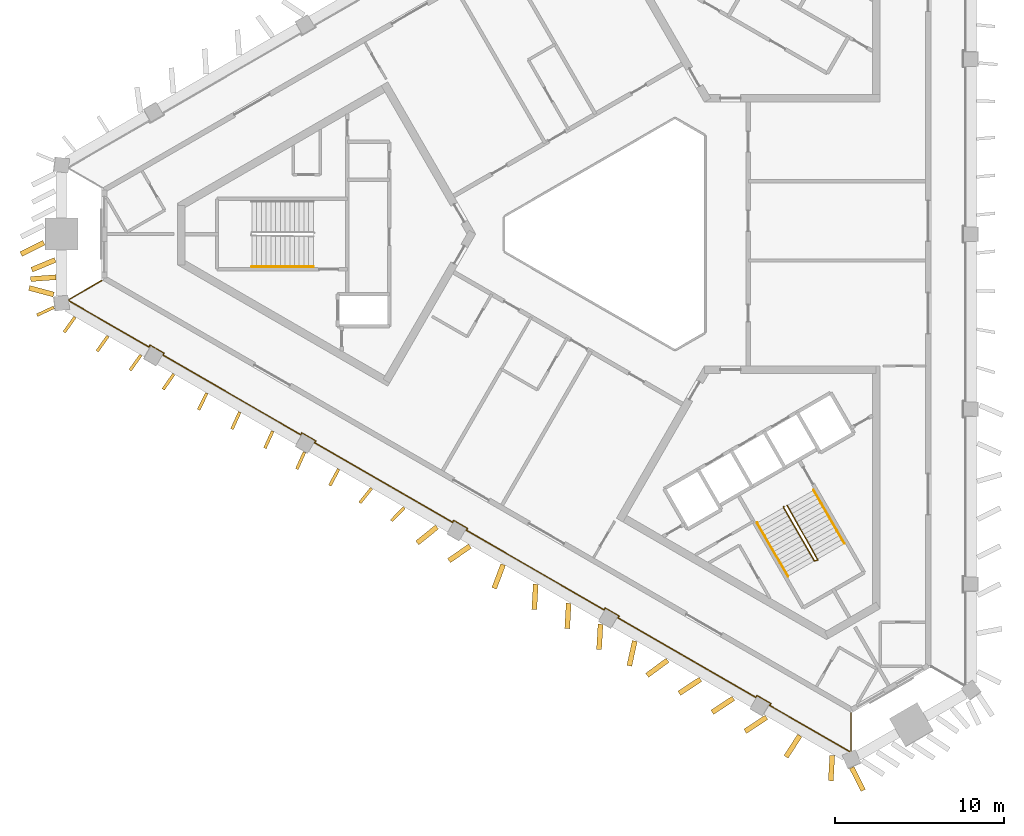
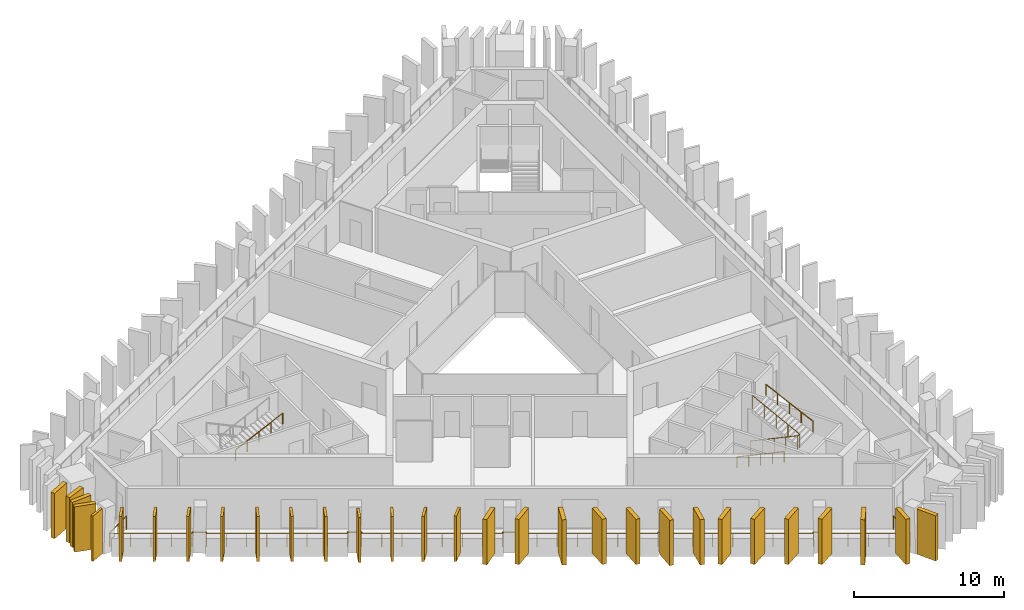
# One storey, part 7 of 10: 30 shading devices, 5 railings.
"""IFC4 building model written with IfcOpenShell, lengths in metres."""

from ifc_helpers import new_model, si_unit, direction, frame, frame_2d, origin, origin_2d, place, context, subcontext, project, spatial, rectangle, circle, extrude, material, layer, layer_set, type_object, element, save


model = new_model("IFC4")

# Units and contexts
model_context = context("Model", 3, precision=1e-05, world=origin(), true_north=direction((0.0, 1.0)))
body_context = subcontext(model_context, "Body", "Model", "MODEL_VIEW")
ifc_project = project(units=[si_unit("LENGTHUNIT", "METRE"), si_unit("AREAUNIT", "SQUARE_METRE"), si_unit("VOLUMEUNIT", "CUBIC_METRE"), si_unit("PLANEANGLEUNIT", "RADIAN"), si_unit("MASSUNIT", "GRAM", prefix="KILO")], contexts=[model_context])

# Site, building, storey
site_placement = place(None, origin())
site = spatial("IfcSite", under=ifc_project, at=site_placement, CompositionType="ELEMENT")
building_placement = place(site_placement, origin())
building = spatial("IfcBuilding", under=site, at=building_placement, Name="Jabali Bay Hotel Tower and Convention Centre", CompositionType="ELEMENT")
storey_placement = place(building_placement, frame((0.0, 0.0, 216.89990234375)))
storey = spatial("IfcBuildingStorey", under=building, at=storey_placement, Name="L53", CompositionType="ELEMENT", Elevation=216.89990234375)

# Railing
ifc_material_1 = material(Name="Glass", Category="glass")
railing_type_1 = type_object("IfcRailingType", Name="Loggia glass guard 1100", PredefinedType="BALUSTRADE", material=ifc_material_1)
railing_1_placement = place(storey_placement, frame((88.160400390625, 51.701904296875, 0.0)))
element("IfcRailing", 1, at=railing_1_placement, inside=storey, type_object=railing_type_1, Name="Loggia glass guard L53", PredefinedType="BALUSTRADE", context=body_context, shape_type="SweptSolid", body=[
    extrude(circle(Radius=0.02490234375, at=origin_2d()), frame((0.0, 0.0, 1.0751953125), z_axis=(0.0, -1.0, 0.0), x_axis=(0.991444861374, 0.0, 0.13052619222)), (0.0, 0.0, 1.0), 2.247314453125),
    extrude(circle(Radius=0.02490234375, at=origin_2d()), frame((0.0, -2.247314453125, 1.0751953125), z_axis=(-0.91970817197, -0.392602697916, 0.0), x_axis=(0.38924392741, -0.911839941063, 0.13052619222)), (0.0, 0.0, 1.0), 0.067138671875),
    extrude(circle(Radius=0.02490234375, at=origin_2d()), frame((-0.061767578125, -2.273681640625, 1.0751953125), z_axis=(-0.866033716285, 0.499985602051, 0.0), x_axis=(-0.495708155914, -0.858624677787, 0.13052619222)), (0.0, 0.0, 1.0), 5.461181640625),
    extrude(circle(Radius=0.02490234375, at=origin_2d()), frame((-4.791259765625, 0.456787109375, 1.0751953125), z_axis=(0.500342721131, 0.865827443207, 0.0), x_axis=(-0.858420169404, 0.496062219791, 0.13052619222)), (0.0, 0.0, 1.0), 0.125),
    extrude(circle(Radius=0.02490234375, at=origin_2d()), frame((-4.728759765625, 0.56494140625, 1.0751953125), z_axis=(-0.865924446982, 0.500174821557, 0.0), x_axis=(-0.495895756621, -0.858516343298, 0.13052619222)), (0.0, 0.0, 1.0), 0.949951171875),
    extrude(circle(Radius=0.02490234375, at=origin_2d()), frame((-5.55126953125, 1.0400390625, 1.0751953125), z_axis=(-0.499497219344, -0.8663154898, 0.0), x_axis=(0.858904040691, -0.495223951389, 0.13052619222)), (0.0, 0.0, 1.0), 0.125244140625),
    extrude(circle(Radius=0.02490234375, at=origin_2d()), frame((-5.61376953125, 0.931640625, 1.0751953125), z_axis=(-0.866023339644, 0.500003575179, 0.0), x_axis=(-0.49572597528, -0.85861438992, 0.13052619222)), (0.0, 0.0, 1.0), 9.39697265625),
    extrude(circle(Radius=0.02490234375, at=origin_2d()), frame((-13.751708984375, 5.630126953125, 1.0751953125), z_axis=(0.499497219344, 0.8663154898, 0.0), x_axis=(-0.858904040691, 0.495223951389, 0.13052619222)), (0.0, 0.0, 1.0), 0.125244140625),
    extrude(circle(Radius=0.02490234375, at=origin_2d()), frame((-13.689208984375, 5.738525390625, 1.0751953125), z_axis=(-0.866100000774, 0.49987077196, 0.0), x_axis=(-0.495594308211, -0.858690395203, 0.13052619222)), (0.0, 0.0, 1.0), 0.949951171875),
    extrude(circle(Radius=0.02490234375, at=origin_2d()), frame((-14.511962890625, 6.21337890625, 1.0751953125), z_axis=(-0.500342721131, -0.865827443207, 0.0), x_axis=(0.858420169404, -0.496062219791, 0.13052619222)), (0.0, 0.0, 1.0), 0.125),
    extrude(circle(Radius=0.02490234375, at=origin_2d()), frame((-14.574462890625, 6.105224609375, 1.0751953125), z_axis=(-0.86603458971, 0.499984089172, 0.0), x_axis=(-0.495706655979, -0.85862554374, 0.13052619222)), (0.0, 0.0, 1.0), 9.396728515625),
    extrude(circle(Radius=0.02490234375, at=origin_2d()), frame((-22.71240234375, 10.803466796875, 1.0751953125), z_axis=(0.499497219344, 0.8663154898, 0.0), x_axis=(-0.858904040691, 0.495223951389, 0.13052619222)), (0.0, 0.0, 1.0), 0.125244140625),
    extrude(circle(Radius=0.02490234375, at=origin_2d()), frame((-22.64990234375, 10.911865234375, 1.0751953125), z_axis=(-0.866100000774, 0.49987077196, 0.0), x_axis=(-0.495594308211, -0.858690395203, 0.13052619222)), (0.0, 0.0, 1.0), 0.949951171875),
    extrude(circle(Radius=0.02490234375, at=origin_2d()), frame((-23.47265625, 11.38671875, 1.0751953125), z_axis=(-0.500342721131, -0.865827443207, 0.0), x_axis=(0.858420169404, -0.496062219791, 0.13052619222)), (0.0, 0.0, 1.0), 0.125),
    extrude(circle(Radius=0.02490234375, at=origin_2d()), frame((-23.53515625, 11.278564453125, 1.0751953125), z_axis=(-0.866023339644, 0.500003575179, 0.0), x_axis=(-0.49572597528, -0.85861438992, 0.13052619222)), (0.0, 0.0, 1.0), 9.39697265625),
    extrude(circle(Radius=0.02490234375, at=origin_2d()), frame((-31.673095703125, 15.97705078125, 1.0751953125), z_axis=(0.500342721131, 0.865827443207, 0.0), x_axis=(-0.858420169404, 0.496062219791, 0.13052619222)), (0.0, 0.0, 1.0), 0.125),
    extrude(circle(Radius=0.02490234375, at=origin_2d()), frame((-31.610595703125, 16.085205078125, 1.0751953125), z_axis=(-0.865924446982, 0.500174821557, 0.0), x_axis=(-0.495895756621, -0.858516343298, 0.13052619222)), (0.0, 0.0, 1.0), 0.949951171875),
    extrude(circle(Radius=0.02490234375, at=origin_2d()), frame((-32.43310546875, 16.560302734375, 1.0751953125), z_axis=(-0.499497219344, -0.8663154898, 0.0), x_axis=(0.858904040691, -0.495223951389, 0.13052619222)), (0.0, 0.0, 1.0), 0.125244140625),
    extrude(circle(Radius=0.02490234375, at=origin_2d()), frame((-32.49560546875, 16.451904296875, 1.0751953125), z_axis=(-0.866023339644, 0.500003575179, 0.0), x_axis=(-0.49572597528, -0.85861438992, 0.13052619222)), (0.0, 0.0, 1.0), 9.39697265625),
    extrude(circle(Radius=0.02490234375, at=origin_2d()), frame((-40.633544921875, 21.150390625, 1.0751953125), z_axis=(0.500342721131, 0.865827443207, 0.0), x_axis=(-0.858420169404, 0.496062219791, 0.13052619222)), (0.0, 0.0, 1.0), 0.125),
    extrude(circle(Radius=0.02490234375, at=origin_2d()), frame((-40.571044921875, 21.258544921875, 1.0751953125), z_axis=(-0.865988727248, 0.500063520245, 0.0), x_axis=(-0.495785407507, -0.858580073638, 0.13052619222)), (0.0, 0.0, 1.0), 0.9501953125),
    extrude(circle(Radius=0.02490234375, at=origin_2d()), frame((-41.393798828125, 21.733642578125, 1.0751953125), z_axis=(-0.500342721131, -0.865827443207, 0.0), x_axis=(0.858420169404, -0.496062219791, 0.13052619222)), (0.0, 0.0, 1.0), 0.125),
    extrude(circle(Radius=0.02490234375, at=origin_2d()), frame((-41.456298828125, 21.62548828125, 1.0751953125), z_axis=(-0.86602253992, 0.500004960326, 0.0), x_axis=(-0.495727348576, -0.858613597038, 0.13052619222)), (0.0, 0.0, 1.0), 5.4609375),
    extrude(circle(Radius=0.02490234375, at=origin_2d()), frame((-46.185546875, 24.35595703125, 1.0751953125), z_axis=(-0.123587346971, 0.992333697739, 0.0), x_axis=(-0.983844145392, -0.122530040085, 0.13052619222)), (0.0, 0.0, 1.0), 0.067138671875),
    extrude(circle(Radius=0.02490234375, at=origin_2d()), frame((-46.19384765625, 24.422607421875, 1.0751953125), z_axis=(0.866082486575, 0.499901116671, 0.0), x_axis=(-0.495624393318, 0.85867303084, 0.13052619222)), (0.0, 0.0, 1.0), 2.24755859375),
    extrude(circle(Radius=0.02001953125, at=origin_2d()), origin(), (0.0, 0.0, 1.0), 1.050048828125),
    extrude(circle(Radius=0.02001953125, at=origin_2d()), frame((0.0, -1.12353515625, 0.0)), (0.0, 0.0, 1.0), 1.050048828125),
    extrude(circle(Radius=0.02001953125, at=origin_2d()), frame((0.0, -2.247314453125, 0.0)), (0.0, 0.0, 1.0), 1.050048828125),
    extrude(circle(Radius=0.02001953125, at=origin_2d()), frame((-0.061767578125, -2.273681640625, 0.0)), (0.0, 0.0, 1.0), 1.050048828125),
    extrude(circle(Radius=0.02001953125, at=origin_2d()), frame((-1.244140625, -1.591064453125, 0.0)), (0.0, 0.0, 1.0), 1.050048828125),
    extrude(circle(Radius=0.02001953125, at=origin_2d()), frame((-2.426513671875, -0.908447265625, 0.0)), (0.0, 0.0, 1.0), 1.050048828125),
    extrude(circle(Radius=0.02001953125, at=origin_2d()), frame((-3.60888671875, -0.225830078125, 0.0)), (0.0, 0.0, 1.0), 1.050048828125),
    extrude(circle(Radius=0.02001953125, at=origin_2d()), frame((-4.791259765625, 0.456787109375, 0.0)), (0.0, 0.0, 1.0), 1.050048828125),
    extrude(circle(Radius=0.02001953125, at=origin_2d()), frame((-4.728759765625, 0.56494140625, 0.0)), (0.0, 0.0, 1.0), 1.050048828125),
    extrude(circle(Radius=0.02001953125, at=origin_2d()), frame((-5.55126953125, 1.0400390625, 0.0)), (0.0, 0.0, 1.0), 1.050048828125),
    extrude(circle(Radius=0.02001953125, at=origin_2d()), frame((-5.61376953125, 0.931640625, 0.0)), (0.0, 0.0, 1.0), 1.050048828125),
    extrude(circle(Radius=0.02001953125, at=origin_2d()), frame((-6.7763671875, 1.602783203125, 0.0)), (0.0, 0.0, 1.0), 1.050048828125),
    extrude(circle(Radius=0.02001953125, at=origin_2d()), frame((-7.93896484375, 2.274169921875, 0.0)), (0.0, 0.0, 1.0), 1.050048828125),
    extrude(circle(Radius=0.02001953125, at=origin_2d()), frame((-9.1015625, 2.9453125, 0.0)), (0.0, 0.0, 1.0), 1.050048828125),
    extrude(circle(Radius=0.02001953125, at=origin_2d()), frame((-10.263916015625, 3.616455078125, 0.0)), (0.0, 0.0, 1.0), 1.050048828125),
    extrude(circle(Radius=0.02001953125, at=origin_2d()), frame((-11.426513671875, 4.28759765625, 0.0)), (0.0, 0.0, 1.0), 1.050048828125),
    extrude(circle(Radius=0.02001953125, at=origin_2d()), frame((-12.589111328125, 4.958984375, 0.0)), (0.0, 0.0, 1.0), 1.050048828125),
    extrude(circle(Radius=0.02001953125, at=origin_2d()), frame((-13.751708984375, 5.630126953125, 0.0)), (0.0, 0.0, 1.0), 1.050048828125),
    extrude(circle(Radius=0.02001953125, at=origin_2d()), frame((-13.689208984375, 5.738525390625, 0.0)), (0.0, 0.0, 1.0), 1.050048828125),
    extrude(circle(Radius=0.02001953125, at=origin_2d()), frame((-14.511962890625, 6.21337890625, 0.0)), (0.0, 0.0, 1.0), 1.050048828125),
    extrude(circle(Radius=0.02001953125, at=origin_2d()), frame((-14.574462890625, 6.105224609375, 0.0)), (0.0, 0.0, 1.0), 1.050048828125),
    extrude(circle(Radius=0.02001953125, at=origin_2d()), frame((-15.737060546875, 6.7763671875, 0.0)), (0.0, 0.0, 1.0), 1.050048828125),
    extrude(circle(Radius=0.02001953125, at=origin_2d()), frame((-16.899658203125, 7.447509765625, 0.0)), (0.0, 0.0, 1.0), 1.050048828125),
    extrude(circle(Radius=0.02001953125, at=origin_2d()), frame((-18.062255859375, 8.11865234375, 0.0)), (0.0, 0.0, 1.0), 1.050048828125),
    extrude(circle(Radius=0.02001953125, at=origin_2d()), frame((-19.224609375, 8.7900390625, 0.0)), (0.0, 0.0, 1.0), 1.050048828125),
    extrude(circle(Radius=0.02001953125, at=origin_2d()), frame((-20.38720703125, 9.461181640625, 0.0)), (0.0, 0.0, 1.0), 1.050048828125),
    extrude(circle(Radius=0.02001953125, at=origin_2d()), frame((-21.5498046875, 10.13232421875, 0.0)), (0.0, 0.0, 1.0), 1.050048828125),
    extrude(circle(Radius=0.02001953125, at=origin_2d()), frame((-22.71240234375, 10.803466796875, 0.0)), (0.0, 0.0, 1.0), 1.050048828125),
    extrude(circle(Radius=0.02001953125, at=origin_2d()), frame((-22.64990234375, 10.911865234375, 0.0)), (0.0, 0.0, 1.0), 1.050048828125),
    extrude(circle(Radius=0.02001953125, at=origin_2d()), frame((-23.47265625, 11.38671875, 0.0)), (0.0, 0.0, 1.0), 1.050048828125),
    extrude(circle(Radius=0.02001953125, at=origin_2d()), frame((-23.53515625, 11.278564453125, 0.0)), (0.0, 0.0, 1.0), 1.050048828125),
    extrude(circle(Radius=0.02001953125, at=origin_2d()), frame((-24.69775390625, 11.94970703125, 0.0)), (0.0, 0.0, 1.0), 1.050048828125),
    extrude(circle(Radius=0.02001953125, at=origin_2d()), frame((-25.8603515625, 12.62109375, 0.0)), (0.0, 0.0, 1.0), 1.050048828125),
    extrude(circle(Radius=0.02001953125, at=origin_2d()), frame((-27.02294921875, 13.292236328125, 0.0)), (0.0, 0.0, 1.0), 1.050048828125),
    extrude(circle(Radius=0.02001953125, at=origin_2d()), frame((-28.185302734375, 13.96337890625, 0.0)), (0.0, 0.0, 1.0), 1.050048828125),
    extrude(circle(Radius=0.02001953125, at=origin_2d()), frame((-29.347900390625, 14.634521484375, 0.0)), (0.0, 0.0, 1.0), 1.050048828125),
    extrude(circle(Radius=0.02001953125, at=origin_2d()), frame((-30.510498046875, 15.305908203125, 0.0)), (0.0, 0.0, 1.0), 1.050048828125),
    extrude(circle(Radius=0.02001953125, at=origin_2d()), frame((-31.673095703125, 15.97705078125, 0.0)), (0.0, 0.0, 1.0), 1.050048828125),
    extrude(circle(Radius=0.02001953125, at=origin_2d()), frame((-31.610595703125, 16.085205078125, 0.0)), (0.0, 0.0, 1.0), 1.050048828125),
    extrude(circle(Radius=0.02001953125, at=origin_2d()), frame((-32.43310546875, 16.560302734375, 0.0)), (0.0, 0.0, 1.0), 1.050048828125),
    extrude(circle(Radius=0.02001953125, at=origin_2d()), frame((-32.49560546875, 16.451904296875, 0.0)), (0.0, 0.0, 1.0), 1.050048828125),
    extrude(circle(Radius=0.02001953125, at=origin_2d()), frame((-33.658203125, 17.123046875, 0.0)), (0.0, 0.0, 1.0), 1.050048828125),
    extrude(circle(Radius=0.02001953125, at=origin_2d()), frame((-34.82080078125, 17.79443359375, 0.0)), (0.0, 0.0, 1.0), 1.050048828125),
    extrude(circle(Radius=0.02001953125, at=origin_2d()), frame((-35.9833984375, 18.465576171875, 0.0)), (0.0, 0.0, 1.0), 1.050048828125),
    extrude(circle(Radius=0.02001953125, at=origin_2d()), frame((-37.145751953125, 19.13671875, 0.0)), (0.0, 0.0, 1.0), 1.050048828125),
    extrude(circle(Radius=0.02001953125, at=origin_2d()), frame((-38.308349609375, 19.807861328125, 0.0)), (0.0, 0.0, 1.0), 1.050048828125),
    extrude(circle(Radius=0.02001953125, at=origin_2d()), frame((-39.470947265625, 20.479248046875, 0.0)), (0.0, 0.0, 1.0), 1.050048828125),
    extrude(circle(Radius=0.02001953125, at=origin_2d()), frame((-40.633544921875, 21.150390625, 0.0)), (0.0, 0.0, 1.0), 1.050048828125),
    extrude(circle(Radius=0.02001953125, at=origin_2d()), frame((-40.571044921875, 21.258544921875, 0.0)), (0.0, 0.0, 1.0), 1.050048828125),
    extrude(circle(Radius=0.02001953125, at=origin_2d()), frame((-41.393798828125, 21.733642578125, 0.0)), (0.0, 0.0, 1.0), 1.050048828125),
    extrude(circle(Radius=0.02001953125, at=origin_2d()), frame((-41.456298828125, 21.62548828125, 0.0)), (0.0, 0.0, 1.0), 1.050048828125),
    extrude(circle(Radius=0.02001953125, at=origin_2d()), frame((-42.638671875, 22.30810546875, 0.0)), (0.0, 0.0, 1.0), 1.050048828125),
    extrude(circle(Radius=0.02001953125, at=origin_2d()), frame((-43.82080078125, 22.99072265625, 0.0)), (0.0, 0.0, 1.0), 1.050048828125),
    extrude(circle(Radius=0.02001953125, at=origin_2d()), frame((-45.003173828125, 23.67333984375, 0.0)), (0.0, 0.0, 1.0), 1.050048828125),
    extrude(circle(Radius=0.02001953125, at=origin_2d()), frame((-46.185546875, 24.35595703125, 0.0)), (0.0, 0.0, 1.0), 1.050048828125),
    extrude(circle(Radius=0.02001953125, at=origin_2d()), frame((-46.19384765625, 24.422607421875, 0.0)), (0.0, 0.0, 1.0), 1.050048828125),
    extrude(circle(Radius=0.02001953125, at=origin_2d()), frame((-45.220703125, 24.984375, 0.0)), (0.0, 0.0, 1.0), 1.050048828125),
    extrude(circle(Radius=0.02001953125, at=origin_2d()), frame((-44.247314453125, 25.546142578125, 0.0)), (0.0, 0.0, 1.0), 1.050048828125),
])

# Shading devices
ifc_material_2 = material(Name="Precast concrete C60", Category="concrete")
ifc_layer_1 = layer(ifc_material_2, 0.179931640625)
ifc_layer_set_1 = layer_set([ifc_layer_1], Name="Precast concrete C60")
shading_device_type_1 = type_object("IfcShadingDeviceType", Name="Precast fin 3680 x 1100", PredefinedType="USERDEFINED", material=ifc_layer_set_1)
for number, where, z_axis, x_axis, name in (
    (2, (42.33544921875, 75.097900390625, 0.010009765625), (0.0, 0.0, 1.0), (-0.579346864897, -0.815081106476, 0.0), "Fin L53 064"),
    (3, (44.28125, 73.974609375, 0.010009765625), (0.0, 0.0, 1.0), (-0.579094563248, -0.815260379766, 0.0), "Fin L53 065"),
):
    element("IfcShadingDevice", number, at=place(storey_placement, frame(where, z_axis=z_axis, x_axis=x_axis)), inside=storey, type_object=shading_device_type_1, Name=name, ObjectType="FIN", PredefinedType="USERDEFINED", context=body_context, shape_type="SweptSolid", body=[
        extrude(rectangle(XDim=1.099853515625, YDim=0.179931640625, at=frame_2d((0.5498046875, 0.0))), origin(), (0.0, 0.0, 1.0), 3.68017578125),
    ])
for number, where, z_axis, x_axis, name in (
    (4, (46.226806640625, 72.851318359375, 0.010009765625), (0.0, 0.0, 1.0), (-0.578842232583, -0.815439556177, 0.0), "Fin L53 066"),
    (5, (48.173095703125, 71.728759765625, 0.010009765625), (0.0, 0.0, 1.0), (-0.571031975366, -0.820927818453, 0.0), "Fin L53 067"),
    (6, (50.119384765625, 70.6064453125, 0.010009765625), (0.0, 0.0, 1.0), (-0.437868242985, -0.899039154756, 0.0), "Fin L53 068"),
    (7, (52.06396484375, 69.481201171875, 0.010009765625), (0.0, 0.0, 1.0), (-0.415875136524, -0.909421723306, 0.0), "Fin L53 069"),
    (8, (54.009765625, 68.357666015625, 0.010009765625), (0.0, 0.0, 1.0), (-0.414789230685, -0.909917520497, 0.0), "Fin L53 070"),
    (9, (55.888916015625, 67.119140625, 0.010009765625), (0.0, 0.0, 1.0), (-0.411259632718, -0.911518246936, 0.0), "Fin L53 071"),
    (10, (57.904052734375, 66.115966796875, 0.010009765625), (0.0, 0.0, 1.0), (-0.471636196942, -0.881793228447, 0.0), "Fin L53 072"),
    (11, (59.844482421875, 64.9833984375, 0.010009765625), (0.0, 0.0, 1.0), (-0.62366597918, -0.781690953263, 0.0), "Fin L53 073"),
):
    element("IfcShadingDevice", number, at=place(storey_placement, frame(where, z_axis=z_axis, x_axis=x_axis)), inside=storey, type_object=shading_device_type_1, Name=name, ObjectType="FIN", PredefinedType="USERDEFINED", context=body_context, shape_type="SweptSolid", body=[
        extrude(rectangle(XDim=1.10009765625, YDim=0.179931640625, at=frame_2d((0.550048828125, 0.0))), origin(), (0.0, 0.0, 1.0), 3.68017578125),
    ])
for number, where, z_axis, x_axis, name in (
    (12, (61.785888671875, 63.852783203125, 0.010009765625), (0.0, 0.0, 1.0), (-0.695243917075, -0.718773883617, 0.0), "Fin L53 074"),
    (13, (41.0869140625, 75.674072265625, 0.010009765625), (0.0, 0.0, 1.0), (-0.90558684473, -0.424160897127, 0.0), "Fin L53 100"),
):
    element("IfcShadingDevice", number, at=place(storey_placement, frame(where, z_axis=z_axis, x_axis=x_axis)), inside=storey, type_object=shading_device_type_1, Name=name, ObjectType="FIN", PredefinedType="USERDEFINED", context=body_context, shape_type="SweptSolid", body=[
        extrude(rectangle(XDim=1.099853515625, YDim=0.179931640625, at=frame_2d((0.5498046875, 0.0))), origin(), (0.0, 0.0, 1.0), 3.68017578125),
    ])
ifc_layer_2 = layer(ifc_material_2, 0.300048828125)
ifc_layer_set_2 = layer_set([ifc_layer_2], Name="Precast concrete C60")
shading_device_type_2 = type_object("IfcShadingDeviceType", Name="Precast fin 3680 x 1500", PredefinedType="USERDEFINED", material=ifc_layer_set_2)
shading_device_1_placement = place(storey_placement, frame((40.49609375, 79.489990234375, 0.010009765625), z_axis=(0.0, 0.0, 1.0), x_axis=(-0.893219312844, -0.449621239671, 0.0)))
element("IfcShadingDevice", 14, at=shading_device_1_placement, inside=storey, type_object=shading_device_type_2, Name="Fin L53 060", ObjectType="FIN", PredefinedType="USERDEFINED", context=body_context, shape_type="SweptSolid", body=[
    extrude(rectangle(XDim=1.499755859375, YDim=0.300048828125, at=frame_2d((0.75, 0.0))), origin(), (0.0, 0.0, 1.0), 3.68017578125),
])
for number, where, z_axis, x_axis, name in (
    (15, (41.168701171875, 78.469970703125, 0.010009765625), (0.0, 0.0, 1.0), (-0.923490506727, -0.383621276763, 0.0), "Fin L53 061"),
    (16, (41.21533203125, 77.4501953125, 0.010009765625), (0.0, 0.0, 1.0), (-0.997361962098, -0.072588680662, 0.0), "Fin L53 062"),
):
    element("IfcShadingDevice", number, at=place(storey_placement, frame(where, z_axis=z_axis, x_axis=x_axis)), inside=storey, type_object=shading_device_type_2, Name=name, ObjectType="FIN", PredefinedType="USERDEFINED", context=body_context, shape_type="SweptSolid", body=[
        extrude(rectangle(XDim=1.5, YDim=0.300048828125, at=frame_2d((0.75, 0.0))), origin(), (0.0, 0.0, 1.0), 3.68017578125),
    ])
shading_device_2_placement = place(storey_placement, frame((41.0771484375, 76.43017578125, 0.010009765625), z_axis=(0.0, 0.0, 1.0), x_axis=(-0.966232237889, 0.257672781769, 0.0)))
element("IfcShadingDevice", 17, at=shading_device_2_placement, inside=storey, type_object=shading_device_type_2, Name="Fin L53 063", ObjectType="FIN", PredefinedType="USERDEFINED", context=body_context, shape_type="SweptSolid", body=[
    extrude(rectangle(XDim=1.499755859375, YDim=0.300048828125, at=frame_2d((0.75, 0.0))), origin(), (0.0, 0.0, 1.0), 3.68017578125),
])
for number, where, z_axis, x_axis, name in (
    (18, (63.71533203125, 62.701416015625, 0.010009765625), (0.0, 0.0, 1.0), (-0.779596911354, -0.626281610625, 0.0), "Fin L53 075"),
    (19, (65.656494140625, 61.569580078125, 0.010009765625), (0.0, 0.0, 1.0), (-0.820971545087, -0.570969107884, 0.0), "Fin L53 076"),
    (20, (67.6220703125, 60.480712890625, 0.010009765625), (0.0, 0.0, 1.0), (-0.354153738686, -0.935187216217, 0.0), "Fin L53 077"),
):
    element("IfcShadingDevice", number, at=place(storey_placement, frame(where, z_axis=z_axis, x_axis=x_axis)), inside=storey, type_object=shading_device_type_2, Name=name, ObjectType="FIN", PredefinedType="USERDEFINED", context=body_context, shape_type="SweptSolid", body=[
        extrude(rectangle(XDim=1.5, YDim=0.300048828125, at=frame_2d((0.75, 0.0))), origin(), (0.0, 0.0, 1.0), 3.68017578125),
    ])
shading_device_3_placement = place(storey_placement, frame((69.546142578125, 59.320068359375, 0.010009765625), z_axis=(0.0, 0.0, 1.0), x_axis=(-0.0585884577, -0.99828222093, 0.0)))
element("IfcShadingDevice", 21, at=shading_device_3_placement, inside=storey, type_object=shading_device_type_2, Name="Fin L53 078", ObjectType="FIN", PredefinedType="USERDEFINED", context=body_context, shape_type="SweptSolid", body=[
    extrude(rectangle(XDim=1.500244140625, YDim=0.300048828125, at=frame_2d((0.75, 0.0))), origin(), (0.0, 0.0, 1.0), 3.68017578125),
])
shading_device_4_placement = place(storey_placement, frame((71.49169921875, 58.196533203125, 0.010009765625), z_axis=(0.0, 0.0, 1.0), x_axis=(-0.057453035244, -0.998348210166, 0.0)))
element("IfcShadingDevice", 22, at=shading_device_4_placement, inside=storey, type_object=shading_device_type_2, Name="Fin L53 079", ObjectType="FIN", PredefinedType="USERDEFINED", context=body_context, shape_type="SweptSolid", body=[
    extrude(rectangle(XDim=1.5, YDim=0.300048828125, at=frame_2d((0.75, 0.0))), origin(), (0.0, 0.0, 1.0), 3.68017578125),
])
shading_device_5_placement = place(storey_placement, frame((73.371337890625, 56.958251953125, 0.010009765625), z_axis=(0.0, 0.0, 1.0), x_axis=(-0.057300124465, -0.998356998141, 0.0)))
element("IfcShadingDevice", 23, at=shading_device_5_placement, inside=storey, type_object=shading_device_type_2, Name="Fin L53 080", ObjectType="FIN", PredefinedType="USERDEFINED", context=body_context, shape_type="SweptSolid", body=[
    extrude(rectangle(XDim=1.499755859375, YDim=0.300048828125, at=frame_2d((0.75, 0.0))), origin(), (0.0, 0.0, 1.0), 3.68017578125),
])
for number, where, z_axis, x_axis, name in (
    (24, (75.394287109375, 55.96875, 0.010009765625), (0.0, 0.0, 1.0), (-0.213861907407, -0.976863902783, 0.0), "Fin L53 081"),
    (25, (77.332763671875, 54.832763671875, 0.010009765625), (0.0, 0.0, 1.0), (-0.804527787306, -0.593915010294, 0.0), "Fin L53 082"),
):
    element("IfcShadingDevice", number, at=place(storey_placement, frame(where, z_axis=z_axis, x_axis=x_axis)), inside=storey, type_object=shading_device_type_2, Name=name, ObjectType="FIN", PredefinedType="USERDEFINED", context=body_context, shape_type="SweptSolid", body=[
        extrude(rectangle(XDim=1.5, YDim=0.300048828125, at=frame_2d((0.75, 0.0))), origin(), (0.0, 0.0, 1.0), 3.68017578125),
    ])
shading_device_6_placement = place(storey_placement, frame((79.274658203125, 53.703125, 0.010009765625), z_axis=(0.0, 0.0, 1.0), x_axis=(-0.835984920737, -0.548752414391, 0.0)))
element("IfcShadingDevice", 26, at=shading_device_6_placement, inside=storey, type_object=shading_device_type_2, Name="Fin L53 083", ObjectType="FIN", PredefinedType="USERDEFINED", context=body_context, shape_type="SweptSolid", body=[
    extrude(rectangle(XDim=1.500244140625, YDim=0.300048828125, at=frame_2d((0.75, 0.0))), origin(), (0.0, 0.0, 1.0), 3.68017578125),
])
shading_device_7_placement = place(storey_placement, frame((81.220458984375, 52.57958984375, 0.010009765625), z_axis=(0.0, 0.0, 1.0), x_axis=(-0.836059575503, -0.548638666346, 0.0)))
element("IfcShadingDevice", 27, at=shading_device_7_placement, inside=storey, type_object=shading_device_type_2, Name="Fin L53 084", ObjectType="FIN", PredefinedType="USERDEFINED", context=body_context, shape_type="SweptSolid", body=[
    extrude(rectangle(XDim=1.5, YDim=0.300048828125, at=frame_2d((0.75, 0.0))), origin(), (0.0, 0.0, 1.0), 3.68017578125),
])
shading_device_8_placement = place(storey_placement, frame((83.166015625, 51.456298828125, 0.010009765625), z_axis=(0.0, 0.0, 1.0), x_axis=(-0.836010576287, -0.548713328011, 0.0)))
element("IfcShadingDevice", 28, at=shading_device_8_placement, inside=storey, type_object=shading_device_type_2, Name="Fin L53 085", ObjectType="FIN", PredefinedType="USERDEFINED", context=body_context, shape_type="SweptSolid", body=[
    extrude(rectangle(XDim=1.499755859375, YDim=0.300048828125, at=frame_2d((0.75, 0.0))), origin(), (0.0, 0.0, 1.0), 3.68017578125),
])
for number, where, z_axis, x_axis, name in (
    (29, (85.1416015625, 50.384521484375, 0.010009765625), (0.0, 0.0, 1.0), (-0.544290183661, -0.83889701154, 0.0), "Fin L53 086"),
    (30, (87.0576171875, 49.20947265625, 0.010009765625), (0.0, 0.0, 1.0), (-0.057290813732, -0.998357532481, 0.0), "Fin L53 087"),
    (31, (88.210205078125, 48.487548828125, 0.010009765625), (0.0, 0.0, 1.0), (0.449685726063, -0.893186849307, 0.0), "Fin L53 101"),
):
    element("IfcShadingDevice", number, at=place(storey_placement, frame(where, z_axis=z_axis, x_axis=x_axis)), inside=storey, type_object=shading_device_type_2, Name=name, ObjectType="FIN", PredefinedType="USERDEFINED", context=body_context, shape_type="SweptSolid", body=[
        extrude(rectangle(XDim=1.5, YDim=0.300048828125, at=frame_2d((0.75, 0.0))), origin(), (0.0, 0.0, 1.0), 3.68017578125),
    ])

# Railings
ifc_material_3 = material(Name="Steel Q355B", Category="steel")
railing_type_2 = type_object("IfcRailingType", Name="Stair guard 1100", PredefinedType="GUARDRAIL", material=ifc_material_3)
railing_2_placement = place(storey_placement, frame((84.199951171875, 63.9150390625, 0.0)))
element("IfcRailing", 32, at=railing_2_placement, inside=storey, type_object=railing_type_2, Name="L53 ST3 stair guard 1", PredefinedType="GUARDRAIL", context=body_context, shape_type="SweptSolid", body=[
    extrude(circle(Radius=0.02392578125, at=origin_2d()), frame((0.0, 0.0, 1.076171875), z_axis=(-0.122021570157, -0.455547195254, 0.88180921367), x_axis=(0.965948051503, -0.258736085224, 0.0)), (0.0, 0.0, 1.0), 0.150146484375),
    extrude(circle(Radius=0.02392578125, at=origin_2d()), frame((-0.018310546875, -0.068359375, 1.20849609375), z_axis=(0.452190331055, -0.783190014029, 0.426775475427), x_axis=(0.866018046521, 0.500012742938, 0.0)), (0.0, 0.0, 1.0), 4.02490234375),
    extrude(circle(Radius=0.02392578125, at=origin_2d()), frame((1.8017578125, -3.220703125, 2.92626953125), z_axis=(0.96121063429, 0.275815366736, 0.0), x_axis=(-0.275815366736, 0.96121063429, 0.0)), (0.0, 0.0, 1.0), 0.206298828125),
    extrude(circle(Radius=0.02392578125, at=origin_2d()), frame((2.0, -3.163818359375, 2.92626953125), z_axis=(-0.436470229993, 0.780146179382, 0.448180406895), x_axis=(-0.872702246529, -0.488252792008, 0.0)), (0.0, 0.0, 1.0), 4.1279296875),
    extrude(circle(Radius=0.02099609375, at=origin_2d()), origin(), (0.0, 0.0, 1.0), 1.052001953125),
    extrude(circle(Radius=0.02099609375, at=origin_2d()), frame((-0.018310546875, -0.068359375, 0.13232421875)), (0.0, 0.0, 1.0), 1.052001953125),
    extrude(circle(Radius=0.02099609375, at=origin_2d()), frame((0.436767578125, -0.8564453125, 0.561767578125)), (0.0, 0.0, 1.0), 1.052001953125),
    extrude(circle(Radius=0.02099609375, at=origin_2d()), frame((0.8916015625, -1.64453125, 0.9912109375)), (0.0, 0.0, 1.0), 1.052001953125),
    extrude(circle(Radius=0.02099609375, at=origin_2d()), frame((1.3466796875, -2.4326171875, 1.420654296875)), (0.0, 0.0, 1.0), 1.052001953125),
    extrude(circle(Radius=0.02099609375, at=origin_2d()), frame((1.8017578125, -3.220703125, 1.85009765625)), (0.0, 0.0, 1.0), 1.052001953125),
    extrude(circle(Radius=0.02099609375, at=origin_2d()), frame((2.0, -3.163818359375, 1.85009765625)), (0.0, 0.0, 1.0), 1.052001953125),
    extrude(circle(Radius=0.02099609375, at=origin_2d()), frame((1.549560546875, -2.358642578125, 2.3125)), (0.0, 0.0, 1.0), 1.052001953125),
    extrude(circle(Radius=0.02099609375, at=origin_2d()), frame((1.09912109375, -1.5537109375, 2.775146484375)), (0.0, 0.0, 1.0), 1.052001953125),
    extrude(circle(Radius=0.02099609375, at=origin_2d()), frame((0.648681640625, -0.74853515625, 3.23779296875)), (0.0, 0.0, 1.0), 1.052001953125),
    extrude(circle(Radius=0.02099609375, at=origin_2d()), frame((0.1982421875, 0.056640625, 3.7001953125)), (0.0, 0.0, 1.0), 1.052001953125),
])
railing_type_3 = type_object("IfcRailingType", Name="Stair handrail 900", PredefinedType="HANDRAIL", material=ifc_material_3)
railing_3_placement = place(storey_placement, frame((52.780029296875, 78.074951171875, 1.982177734375)))
element("IfcRailing", 33, at=railing_3_placement, inside=storey, type_object=railing_type_3, Name="L53 ST1 stair handrail 2", PredefinedType="HANDRAIL", context=body_context, shape_type="SweptSolid", body=[
    extrude(circle(Radius=0.02392578125, at=origin_2d()), frame((0.0, 0.0, 0.8759765625), z_axis=(0.904327350853, 0.0, 0.426839598092), x_axis=(0.0, 1.0, 0.0)), (0.0, 0.0, 1.0), 4.02490234375),
    extrude(circle(Radius=0.02099609375, at=origin_2d()), origin(), (0.0, 0.0, 1.0), 0.851806640625),
    extrude(circle(Radius=0.02099609375, at=origin_2d()), frame((0.909912109375, 0.0, 0.429443359375)), (0.0, 0.0, 1.0), 0.851806640625),
    extrude(circle(Radius=0.02099609375, at=origin_2d()), frame((1.81982421875, 0.0, 0.85888671875)), (0.0, 0.0, 1.0), 0.851806640625),
    extrude(circle(Radius=0.02099609375, at=origin_2d()), frame((2.72998046875, 0.0, 1.28857421875)), (0.0, 0.0, 1.0), 0.851806640625),
    extrude(circle(Radius=0.02099609375, at=origin_2d()), frame((3.639892578125, 0.0, 1.718017578125)), (0.0, 0.0, 1.0), 0.851806640625),
])
railing_4_placement = place(storey_placement, frame((82.622802734375, 62.94677734375, 0.13232421875)))
element("IfcRailing", 34, at=railing_4_placement, inside=storey, type_object=railing_type_3, Name="L53 ST3 stair handrail 1", PredefinedType="HANDRAIL", context=body_context, shape_type="SweptSolid", body=[
    extrude(circle(Radius=0.02392578125, at=origin_2d()), frame((0.0, 0.0, 0.8759765625), z_axis=(0.452190331055, -0.783190014029, 0.426775475427), x_axis=(0.866018046521, 0.500012742938, 0.0)), (0.0, 0.0, 1.0), 4.02490234375),
    extrude(circle(Radius=0.02099609375, at=origin_2d()), origin(), (0.0, 0.0, 1.0), 0.851806640625),
    extrude(circle(Radius=0.02099609375, at=origin_2d()), frame((0.455078125, -0.7880859375, 0.429443359375)), (0.0, 0.0, 1.0), 0.851806640625),
    extrude(circle(Radius=0.02099609375, at=origin_2d()), frame((0.91015625, -1.576171875, 0.85888671875)), (0.0, 0.0, 1.0), 0.851806640625),
    extrude(circle(Radius=0.02099609375, at=origin_2d()), frame((1.364990234375, -2.3642578125, 1.288330078125)), (0.0, 0.0, 1.0), 0.851806640625),
    extrude(circle(Radius=0.02099609375, at=origin_2d()), frame((1.820068359375, -3.15234375, 1.7177734375)), (0.0, 0.0, 1.0), 0.851806640625),
])
railing_5_placement = place(storey_placement, frame((87.777099609375, 61.719482421875, 1.982177734375)))
element("IfcRailing", 35, at=railing_5_placement, inside=storey, type_object=railing_type_3, Name="L53 ST3 stair handrail 2", PredefinedType="HANDRAIL", context=body_context, shape_type="SweptSolid", body=[
    extrude(circle(Radius=0.02392578125, at=origin_2d()), frame((0.0, 0.0, 0.8759765625), z_axis=(-0.45217862506, 0.783169739339, 0.426825081763), x_axis=(-0.866018046521, -0.500012742938, 0.0)), (0.0, 0.0, 1.0), 4.025146484375),
    extrude(circle(Radius=0.02099609375, at=origin_2d()), origin(), (0.0, 0.0, 1.0), 0.851806640625),
    extrude(circle(Radius=0.02099609375, at=origin_2d()), frame((-0.455078125, 0.7880859375, 0.429443359375)), (0.0, 0.0, 1.0), 0.851806640625),
    extrude(circle(Radius=0.02099609375, at=origin_2d()), frame((-0.91015625, 1.576171875, 0.85888671875)), (0.0, 0.0, 1.0), 0.851806640625),
    extrude(circle(Radius=0.02099609375, at=origin_2d()), frame((-1.364990234375, 2.3642578125, 1.28857421875)), (0.0, 0.0, 1.0), 0.851806640625),
    extrude(circle(Radius=0.02099609375, at=origin_2d()), frame((-1.820068359375, 3.15234375, 1.718017578125)), (0.0, 0.0, 1.0), 0.851806640625),
])

save(model, "model.ifc")
